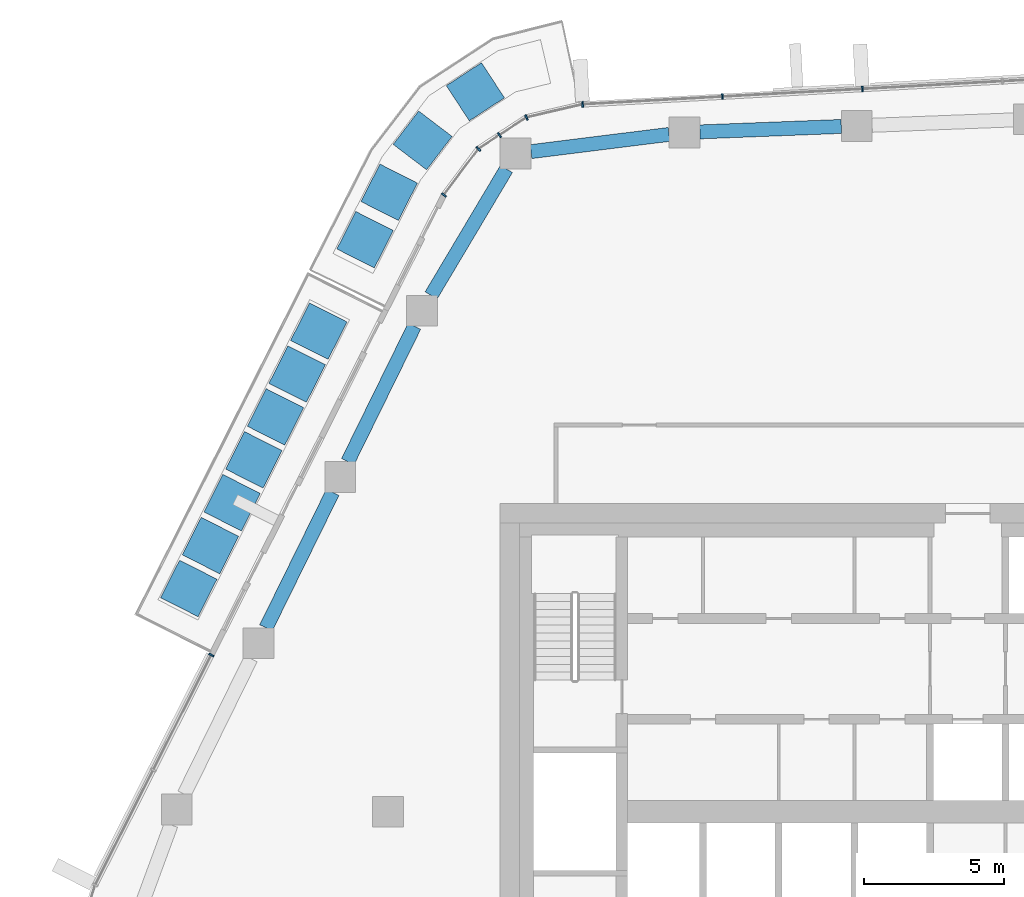
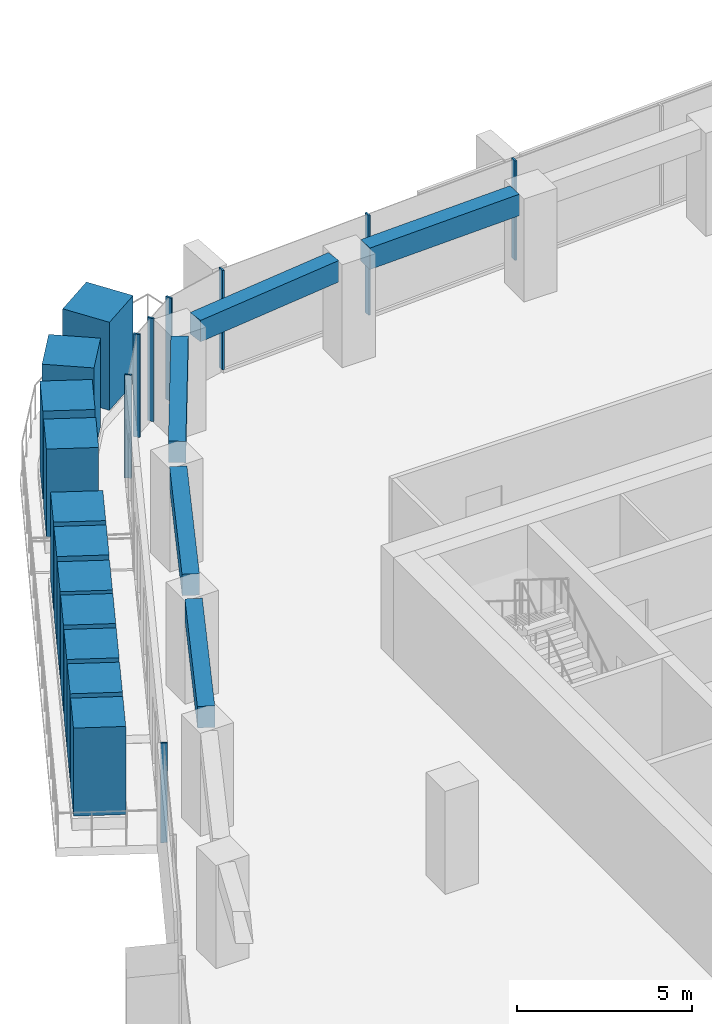
# One storey, part 6 of 21: 19 members, 5 beams, 4 elements without a shape of their own.
"""IFC4 building model written with IfcOpenShell, lengths in metres."""

from ifc_helpers import new_model, si_unit, direction, frame, origin, origin_2d, place, context, subcontext, project, spatial, rectangle, extrude, material, layer, layer_set, material_profile, profile_set, type_object, element, aggregate, save


model = new_model("IFC4")

# Units and contexts
model_context = context("Model", 3, precision=1e-05, world=origin(), true_north=direction((0.0, 1.0)))
body_context = subcontext(model_context, "Body", "Model", "MODEL_VIEW")
ifc_project = project(units=[si_unit("LENGTHUNIT", "METRE"), si_unit("AREAUNIT", "SQUARE_METRE"), si_unit("VOLUMEUNIT", "CUBIC_METRE"), si_unit("PLANEANGLEUNIT", "RADIAN"), si_unit("MASSUNIT", "GRAM", prefix="KILO")], contexts=[model_context])

# Site, building, storey
site_placement = place(None, origin())
site = spatial("IfcSite", under=ifc_project, at=site_placement, CompositionType="ELEMENT")
building_placement = place(site_placement, origin())
building = spatial("IfcBuilding", under=site, at=building_placement, Name="Dongbaek Canopy Tower", CompositionType="ELEMENT")
storey_placement = place(building_placement, frame((0.0, 0.0, 279.0)))
storey = spatial("IfcBuildingStorey", under=building, at=storey_placement, Name="L59", CompositionType="ELEMENT", Elevation=279.0)

# Curtain wall, members
ifc_material_1 = material(Name="Aluminium 6063-T6 pale anodised", Category="aluminium")
ifc_layer = layer(ifc_material_1, 0.199951171875)
ifc_layer_set = layer_set([ifc_layer], Name="CW-1 unitised tower curtain wall")
curtain_wall_type = type_object("IfcCurtainWallType", Name="CW-1 unitised tower curtain wall", PredefinedType="NOTDEFINED", material=ifc_layer_set)
curtain_wall_1_placement = place(storey_placement, origin())
curtain_wall_1 = element("IfcCurtainWall", 1, at=curtain_wall_1_placement, inside=storey, type_object=curtain_wall_type, Name="CW-1 curtain wall F1.1", PredefinedType="NOTDEFINED")
ifc_material_2 = material(Name="Aluminium 6063-T6 pale anodised", Category="aluminium")
ifc_material_profile_1 = material_profile(ifc_material_2, rectangle(XDim=0.199951171875, YDim=0.06005859375, at=origin_2d()), Name="CW-1 mullion 60 x 200")
ifc_profile_set_1 = profile_set([ifc_material_profile_1], Name="Aluminium 6063-T6 pale anodised")
member_type_1 = type_object("IfcMemberType", Name="CW-1 mullion 60 x 200", PredefinedType="MULLION", material=ifc_profile_set_1)
member_1_placement = place(storey_placement, frame((-1.061767578125, 25.79736328125, 0.1201171875), z_axis=(0.0, 0.0, 1.0), x_axis=(-0.054835623277, 0.998495395292, 0.0)))
member_1 = element("IfcMember", 2, at=member_1_placement, type_object=member_type_1, Name="CW-1 mullion F1.1.3", PredefinedType="MULLION", context=body_context, shape_type="SweptSolid", body=[
    extrude(rectangle(XDim=0.199951171875, YDim=0.06005859375, at=origin_2d()), origin(), (0.0, 0.0, 1.0), 3.47998046875),
])
member_2_placement = place(storey_placement, frame((-6.0595703125, 25.522705078125, 0.1201171875), z_axis=(0.0, 0.0, 1.0), x_axis=(-0.054835623277, 0.998495395292, 0.0)))
member_2 = element("IfcMember", 3, at=member_2_placement, type_object=member_type_1, Name="CW-1 mullion F1.1.4", PredefinedType="MULLION", context=body_context, shape_type="SweptSolid", body=[
    extrude(rectangle(XDim=0.199951171875, YDim=0.06005859375, at=origin_2d()), origin(), (0.0, 0.0, 1.0), 3.47998046875),
])
member_3_placement = place(storey_placement, frame((-11.048583984375, 25.248779296875, 0.1201171875), z_axis=(0.0, 0.0, 1.0), x_axis=(-0.054835623277, 0.998495395292, 0.0)))
member_3 = element("IfcMember", 4, at=member_3_placement, type_object=member_type_1, Name="CW-1 mullion F1.1.5", PredefinedType="MULLION", context=body_context, shape_type="SweptSolid", body=[
    extrude(rectangle(XDim=0.199951171875, YDim=0.06005859375, at=origin_2d()), origin(), (0.0, 0.0, 1.0), 3.47998046875),
])
aggregate(curtain_wall_1, [member_1, member_2, member_3])

curtain_wall_2_placement = place(storey_placement, origin())
curtain_wall_2 = element("IfcCurtainWall", 5, at=curtain_wall_2_placement, inside=storey, type_object=curtain_wall_type, Name="CW-1 curtain wall K2.1a", PredefinedType="NOTDEFINED")
member_4_placement = place(storey_placement, frame((-13.0537109375, 24.7802734375, 0.0), z_axis=(0.0, 0.0, 1.0), x_axis=(-0.393278726417, 0.919419296811, 0.0)))
member_4 = element("IfcMember", 6, at=member_4_placement, type_object=member_type_1, Name="CW-1 mullion K2.1a.2", PredefinedType="MULLION", context=body_context, shape_type="SweptSolid", body=[
    extrude(rectangle(XDim=0.199951171875, YDim=0.06005859375, at=origin_2d()), origin(), (0.0, 0.0, 1.0), 3.60009765625),
])
member_5_placement = place(storey_placement, frame((-14.0185546875, 24.14990234375, 0.0), z_axis=(0.0, 0.0, 1.0), x_axis=(-0.547070751682, 0.837086371083, 0.0)))
member_5 = element("IfcMember", 7, at=member_5_placement, type_object=member_type_1, Name="CW-1 mullion K2.1a.3", PredefinedType="MULLION", context=body_context, shape_type="SweptSolid", body=[
    extrude(rectangle(XDim=0.199951171875, YDim=0.06005859375, at=origin_2d()), origin(), (0.0, 0.0, 1.0), 3.60009765625),
])
aggregate(curtain_wall_2, [member_4, member_5])

curtain_wall_3_placement = place(storey_placement, origin())
curtain_wall_3 = element("IfcCurtainWall", 8, at=curtain_wall_3_placement, inside=storey, type_object=curtain_wall_type, Name="CW-1 curtain wall K2.1b", PredefinedType="NOTDEFINED")
member_6_placement = place(storey_placement, frame((-14.769775390625, 23.658935546875, 0.0), z_axis=(0.0, 0.0, 1.0), x_axis=(-0.684215032286, 0.729280323054, 0.0)))
member_6 = element("IfcMember", 9, at=member_6_placement, type_object=member_type_1, Name="CW-1 mullion K2.1b.2", PredefinedType="MULLION", context=body_context, shape_type="SweptSolid", body=[
    extrude(rectangle(XDim=0.199951171875, YDim=0.06005859375, at=origin_2d()), origin(), (0.0, 0.0, 1.0), 3.60009765625),
])
member_7_placement = place(storey_placement, frame((-16.003662109375, 22.010498046875, 0.0), z_axis=(0.0, 0.0, 1.0), x_axis=(-0.800538172085, 0.599281765979, 0.0)))
member_7 = element("IfcMember", 10, at=member_7_placement, type_object=member_type_1, Name="CW-1 mullion K2.1b.3", PredefinedType="MULLION", context=body_context, shape_type="SweptSolid", body=[
    extrude(rectangle(XDim=0.199951171875, YDim=0.06005859375, at=origin_2d()), origin(), (0.0, 0.0, 1.0), 3.60009765625),
])
aggregate(curtain_wall_3, [member_6, member_7])

# Curtain wall, member
curtain_wall_4_placement = place(storey_placement, origin())
curtain_wall_4 = element("IfcCurtainWall", 11, at=curtain_wall_4_placement, inside=storey, type_object=curtain_wall_type, Name="CW-1 curtain wall F2.1", PredefinedType="NOTDEFINED")
member_8_placement = place(storey_placement, frame((-24.3017578125, 5.5908203125, 0.1201171875), z_axis=(0.0, 0.0, 1.0), x_axis=(-0.892500376776, 0.45104664665, 0.0)))
member_8 = element("IfcMember", 12, at=member_8_placement, type_object=member_type_1, Name="CW-1 mullion F2.1.1", PredefinedType="MULLION", context=body_context, shape_type="SweptSolid", body=[
    extrude(rectangle(XDim=0.199951171875, YDim=0.06005859375, at=origin_2d()), origin(), (0.0, 0.0, 1.0), 3.47998046875),
])
aggregate(curtain_wall_4, [member_8])

# Beams
ifc_material_3 = material(Name="Concrete C70", Category="concrete")
ifc_material_profile_2 = material_profile(ifc_material_3, rectangle(XDim=0.5, YDim=0.75, at=origin_2d()), Name="RC EDGE BEAM 500x750 C70")
ifc_profile_set_2 = profile_set([ifc_material_profile_2], Name="Concrete C70")
beam_type = type_object("IfcBeamType", Name="RC EDGE BEAM 500x750 C70", PredefinedType="BEAM", material=ifc_profile_set_2)
beam_1_placement = place(storey_placement, frame((-22.350341796875, 6.56103515625, 3.22509765625), z_axis=(0.441366916234, 0.897326721576, 0.0), x_axis=(-0.897326721576, 0.441366916234, 0.0)))
element("IfcBeam", 13, at=beam_1_placement, inside=storey, type_object=beam_type, Name="EDGEBEAM:L59:10", PredefinedType="BEAM", context=body_context, shape_type="SweptSolid", body=[
    extrude(rectangle(XDim=0.5, YDim=0.75, at=origin_2d()), origin(), (0.0, 0.0, 1.0), 5.38720703125),
])
beam_2_placement = place(storey_placement, frame((-19.431396484375, 12.4951171875, 3.22509765625), z_axis=(0.441347181793, 0.89733642806, 0.0), x_axis=(-0.89733642806, 0.441347181793, 0.0)))
element("IfcBeam", 14, at=beam_2_placement, inside=storey, type_object=beam_type, Name="EDGEBEAM:L59:11", PredefinedType="BEAM", context=body_context, shape_type="SweptSolid", body=[
    extrude(rectangle(XDim=0.5, YDim=0.75, at=origin_2d()), origin(), (0.0, 0.0, 1.0), 5.3857421875),
])
beam_3_placement = place(storey_placement, frame((-16.45654296875, 18.427978515625, 3.22509765625), z_axis=(0.511587639318, 0.85923110238, 0.0), x_axis=(-0.85923110238, 0.511587639318, 0.0)))
element("IfcBeam", 15, at=beam_3_placement, inside=storey, type_object=beam_type, Name="EDGEBEAM:L59:12", PredefinedType="BEAM", context=body_context, shape_type="SweptSolid", body=[
    extrude(rectangle(XDim=0.5, YDim=0.75, at=origin_2d()), origin(), (0.0, 0.0, 1.0), 5.252197265625),
])
beam_4_placement = place(storey_placement, frame((-12.89208984375, 23.5595703125, 3.22509765625), z_axis=(0.992305840698, 0.123810817446, 0.0), x_axis=(-0.123810817446, 0.992305840698, 0.0)))
element("IfcBeam", 16, at=beam_4_placement, inside=storey, type_object=beam_type, Name="EDGEBEAM:L59:13", PredefinedType="BEAM", context=body_context, shape_type="SweptSolid", body=[
    extrude(rectangle(XDim=0.5, YDim=0.75, at=origin_2d()), origin(), (0.0, 0.0, 1.0), 4.965087890625),
])
beam_5_placement = place(storey_placement, frame((-6.864990234375, 24.26416015625, 3.22509765625), z_axis=(0.999263812988, 0.038364463397, 0.0), x_axis=(-0.038364463397, 0.999263812988, 0.0)))
element("IfcBeam", 17, at=beam_5_placement, inside=storey, type_object=beam_type, Name="EDGEBEAM:L59:14", PredefinedType="BEAM", context=body_context, shape_type="SweptSolid", body=[
    extrude(rectangle(XDim=0.5, YDim=0.75, at=origin_2d()), origin(), (0.0, 0.0, 1.0), 5.052734375),
])

# Members
ifc_material_4 = material(Name="Concrete C40/50 planter mass with planting", Category="concrete")
ifc_material_profile_3 = material_profile(ifc_material_4, rectangle(XDim=1.5, YDim=1.5, at=origin_2d()), Name="Terrace PLANTER shrub mass 1500 x 1500")
ifc_profile_set_3 = profile_set([ifc_material_profile_3], Name="Concrete C40/50 planter mass with planting")
member_type_2 = type_object("IfcMemberType", Name="Terrace PLANTER shrub mass 1500 x 1500", PredefinedType="USERDEFINED", material=ifc_profile_set_3)
for number, where, z_axis, x_axis, name in (
    (18, (-20.465576171875, 17.150390625, 0.419921875), (0.0, 0.0, 1.0), (-0.892500376776, 0.45104664665, 0.0), "Planter shrubs L59 1.1"),
    (19, (-21.239013671875, 15.61962890625, 0.419921875), (0.0, 0.0, 1.0), (-0.892500376776, 0.45104664665, 0.0), "Planter shrubs L59 1.2"),
):
    element("IfcMember", number, at=place(storey_placement, frame(where, z_axis=z_axis, x_axis=x_axis)), inside=storey, type_object=member_type_2, Name=name, ObjectType="PLANTER", PredefinedType="USERDEFINED", context=body_context, shape_type="SweptSolid", body=[
        extrude(rectangle(XDim=1.5, YDim=1.5, at=origin_2d()), origin(), (0.0, 0.0, 1.0), 3.080078125),
    ])
member_9_placement = place(storey_placement, frame((-22.012451171875, 14.089111328125, 0.419921875), z_axis=(0.0, 0.0, 1.0), x_axis=(-0.892500376776, 0.45104664665, 0.0)))
element("IfcMember", 20, at=member_9_placement, inside=storey, type_object=member_type_2, Name="Planter shrubs L59 1.3", ObjectType="PLANTER", PredefinedType="USERDEFINED", context=body_context, shape_type="SweptSolid", body=[
    extrude(rectangle(XDim=1.5, YDim=1.5, at=origin_2d()), origin(), (0.0, 0.0, 1.0), 3.050048828125),
])
for number, where, z_axis, x_axis, name in (
    (21, (-22.7861328125, 12.558349609375, 0.419921875), (0.0, 0.0, 1.0), (-0.892500376776, 0.45104664665, 0.0), "Planter shrubs L59 1.4"),
    (22, (-23.5595703125, 11.02783203125, 0.419921875), (0.0, 0.0, 1.0), (-0.892500376776, 0.45104664665, 0.0), "Planter shrubs L59 1.5"),
    (23, (-24.3330078125, 9.497314453125, 0.419921875), (0.0, 0.0, 1.0), (-0.892500376776, 0.45104664665, 0.0), "Planter shrubs L59 1.6"),
    (24, (-25.106689453125, 7.966552734375, 0.419921875), (0.0, 0.0, 1.0), (-0.892500376776, 0.45104664665, 0.0), "Planter shrubs L59 1.7"),
    (25, (-14.876953125, 25.696533203125, 0.419921875), (0.0, 0.0, 1.0), (-0.547070751682, 0.837086371083, 0.0), "Planter shrubs L59 4.1"),
    (26, (-16.76025390625, 23.9599609375, 0.419921875), (0.0, 0.0, 1.0), (-0.795943338837, 0.605371126963, 0.0), "Planter shrubs L59 4.2"),
    (27, (-17.954833984375, 22.107421875, 0.419921875), (0.0, 0.0, 1.0), (-0.891734396067, 0.4525591308, 0.0), "Planter shrubs L59 4.3"),
    (28, (-18.814453125, 20.41357421875, 0.419921875), (0.0, 0.0, 1.0), (-0.891734396067, 0.4525591308, 0.0), "Planter shrubs L59 4.4"),
):
    element("IfcMember", number, at=place(storey_placement, frame(where, z_axis=z_axis, x_axis=x_axis)), inside=storey, type_object=member_type_2, Name=name, ObjectType="PLANTER", PredefinedType="USERDEFINED", context=body_context, shape_type="SweptSolid", body=[
        extrude(rectangle(XDim=1.5, YDim=1.5, at=origin_2d()), origin(), (0.0, 0.0, 1.0), 3.080078125),
    ])

save(model, "model.ifc")
